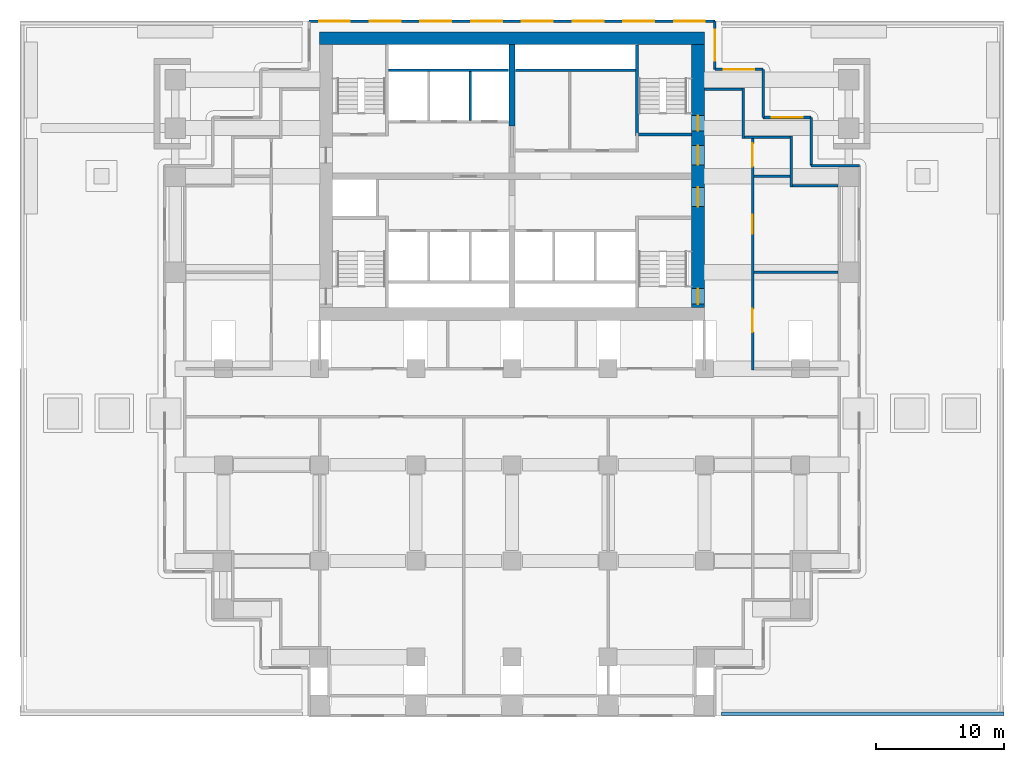
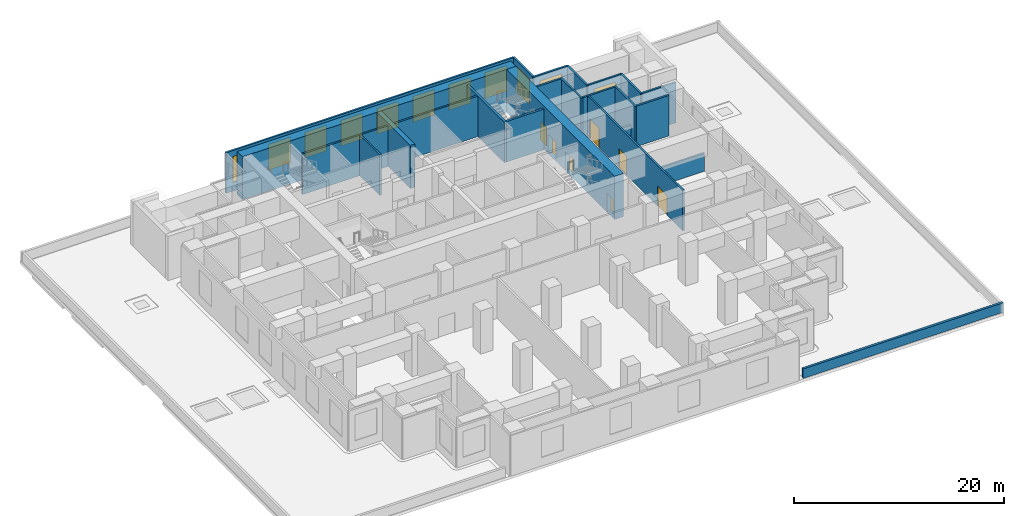
# One storey, part 5 of 9: 24 walls, 11 windows, 7 doors, 18 openings.
"""IFC4 building model written with IfcOpenShell, lengths in metres."""

from ifc_helpers import new_model, si_unit, direction, frame, frame_2d, origin, place, context, subcontext, project, spatial, rectangle, extrude, material, layer, layer_set, type_object, element, fill, save


model = new_model("IFC4")

# Units and contexts
model_context = context("Model", 3, precision=1e-05, world=origin(), true_north=direction((0.0, 1.0)))
body_context = subcontext(model_context, "Body", "Model", "MODEL_VIEW")
ifc_project = project(units=[si_unit("LENGTHUNIT", "METRE"), si_unit("AREAUNIT", "SQUARE_METRE"), si_unit("VOLUMEUNIT", "CUBIC_METRE"), si_unit("PLANEANGLEUNIT", "RADIAN"), si_unit("MASSUNIT", "GRAM", prefix="KILO")], contexts=[model_context])

# Site, building, storey
site_placement = place(None, origin())
site = spatial("IfcSite", under=ifc_project, at=site_placement, CompositionType="ELEMENT")
building_placement = place(site_placement, origin())
building = spatial("IfcBuilding", under=site, at=building_placement, Name="Pilkhan Gate Tower", CompositionType="ELEMENT")
storey_placement = place(building_placement, frame((0.0, 0.0, 30.0)))
storey = spatial("IfcBuildingStorey", under=building, at=storey_placement, Name="L04", CompositionType="ELEMENT", Elevation=30.0)

# Wall, openings, doors
ifc_material_1 = material(Name="Concrete C70/85", Category="concrete")
ifc_layer_1 = layer(ifc_material_1, 1.0)
ifc_layer_set_1 = layer_set([ifc_layer_1], Name="Core wall CW1000 C70/85")
wall_type_1 = type_object("IfcWallType", Name="Core wall CW1000 C70/85", PredefinedType="SHEAR", material=ifc_layer_set_1)
wall_1_placement = place(storey_placement, frame((89.5, 72.25, 0.0), z_axis=(0.0, 0.0, 1.0), x_axis=(0.0, 1.0, 0.0)))
wall_1 = element("IfcWall", 1, at=wall_1_placement, inside=storey, type_object=wall_type_1, Name="Core wall E L04", PredefinedType="SHEAR", context=body_context, shape_type="SweptSolid", body=[
    extrude(rectangle(XDim=20.5, YDim=1.0, at=frame_2d((10.25, 0.0))), origin(), (0.0, 0.0, 1.0), 5.0),
])
opening_1_placement = place(wall_1_placement, frame((0.27490234375, 0.0, 0.0)))
opening_1 = element("IfcOpeningElement", 2, at=opening_1_placement, cuts=wall_1, Name="Opening L04-03", PredefinedType="OPENING", context=body_context, shape_type="SweptSolid", body=[
    extrude(rectangle(XDim=1.199951171875, YDim=2.199951171875, at=frame_2d((0.60009765625, 1.10009765625))), frame((0.0, 0.510009765625, 0.0), z_axis=(0.0, -1.0, 0.0), x_axis=(1.0, 0.0, 0.0)), (0.0, 0.0, 1.0), 1.02001953125),
])
opening_2_placement = place(wall_1_placement, frame((13.77490234375, 0.0, 0.0)))
opening_2 = element("IfcOpeningElement", 3, at=opening_2_placement, cuts=wall_1, Name="Opening L04-05", PredefinedType="OPENING", context=body_context, shape_type="SweptSolid", body=[
    extrude(rectangle(XDim=1.199951171875, YDim=2.199951171875, at=frame_2d((0.60009765625, 1.10009765625))), frame((0.0, 0.510009765625, 0.0), z_axis=(0.0, -1.0, 0.0), x_axis=(1.0, 0.0, 0.0)), (0.0, 0.0, 1.0), 1.02001953125),
])
opening_3_placement = place(wall_1_placement, frame((7.875, 0.0, 0.0)))
opening_3 = element("IfcOpeningElement", 4, at=opening_3_placement, cuts=wall_1, Name="Opening L04-09", PredefinedType="OPENING", context=body_context, shape_type="SweptSolid", body=[
    extrude(rectangle(XDim=1.5, YDim=2.199951171875, at=frame_2d((0.75, 1.10009765625))), frame((0.0, 0.510009765625, 0.0), z_axis=(0.0, -1.0, 0.0), x_axis=(1.0, 0.0, 0.0)), (0.0, 0.0, 1.0), 1.02001953125),
])
opening_4_placement = place(wall_1_placement, frame((11.125, 0.0, 0.0)))
opening_4 = element("IfcOpeningElement", 5, at=opening_4_placement, cuts=wall_1, Name="Opening L04-11", PredefinedType="OPENING", context=body_context, shape_type="SweptSolid", body=[
    extrude(rectangle(XDim=1.5, YDim=2.199951171875, at=frame_2d((0.75, 1.10009765625))), frame((0.0, 0.510009765625, 0.0), z_axis=(0.0, -1.0, 0.0), x_axis=(1.0, 0.0, 0.0)), (0.0, 0.0, 1.0), 1.02001953125),
])
ifc_material_2 = material(Name="Steel framed glazed door, 60 minute fire resisting", Category="steel")
door_type_1 = type_object("IfcDoorType", Name="Lobby door D09 1500x2200", OperationType="DOUBLE_DOOR_SINGLE_SWING", PredefinedType="DOOR", material=ifc_material_2)
door_1_placement = place(opening_3_placement, origin())
door_1 = element("IfcDoor", 6, at=door_1_placement, inside=storey, type_object=door_type_1, Name="Core door", OperationType="DOUBLE_DOOR_SINGLE_SWING", OverallHeight=2.199951171875, OverallWidth=1.5, PredefinedType="DOOR", context=body_context, shape_type="SweptSolid", body=[
    extrude(rectangle(XDim=1.5, YDim=2.199951171875, at=frame_2d((0.75, 1.10009765625))), frame((0.0, 0.02490234375, 0.0), z_axis=(0.0, -1.0, 0.0), x_axis=(1.0, 0.0, 0.0)), (0.0, 0.0, 1.0), 0.050048828125),
])
fill(opening_3, door_1)
door_2_placement = place(opening_4_placement, origin())
door_2 = element("IfcDoor", 7, at=door_2_placement, inside=storey, type_object=door_type_1, Name="Core door", OperationType="DOUBLE_DOOR_SINGLE_SWING", OverallHeight=2.199951171875, OverallWidth=1.5, PredefinedType="DOOR", context=body_context, shape_type="SweptSolid", body=[
    extrude(rectangle(XDim=1.5, YDim=2.199951171875, at=frame_2d((0.75, 1.10009765625))), frame((0.0, 0.02490234375, 0.0), z_axis=(0.0, -1.0, 0.0), x_axis=(1.0, 0.0, 0.0)), (0.0, 0.0, 1.0), 0.050048828125),
])
fill(opening_4, door_2)
ifc_material_3 = material(Name="Steel door, 120 minute fire resisting, panic bar", Category="steel")
door_type_2 = type_object("IfcDoorType", Name="Stair door D11 1200x2200", OperationType="SINGLE_SWING_LEFT", PredefinedType="DOOR", material=ifc_material_3)
door_3_placement = place(opening_1_placement, origin())
door_3 = element("IfcDoor", 8, at=door_3_placement, inside=storey, type_object=door_type_2, Name="Stair ST1 door", OperationType="SINGLE_SWING_LEFT", OverallHeight=2.199951171875, OverallWidth=1.199951171875, PredefinedType="DOOR", context=body_context, shape_type="SweptSolid", body=[
    extrude(rectangle(XDim=1.199951171875, YDim=2.199951171875, at=frame_2d((0.60009765625, 1.10009765625))), frame((0.0, 0.02490234375, 0.0), z_axis=(0.0, -1.0, 0.0), x_axis=(1.0, 0.0, 0.0)), (0.0, 0.0, 1.0), 0.050048828125),
])
fill(opening_1, door_3)
door_4_placement = place(opening_2_placement, origin())
door_4 = element("IfcDoor", 9, at=door_4_placement, inside=storey, type_object=door_type_2, Name="Stair ST4 door", OperationType="SINGLE_SWING_LEFT", OverallHeight=2.199951171875, OverallWidth=1.199951171875, PredefinedType="DOOR", context=body_context, shape_type="SweptSolid", body=[
    extrude(rectangle(XDim=1.199951171875, YDim=2.199951171875, at=frame_2d((0.60009765625, 1.10009765625))), frame((0.0, 0.02490234375, 0.0), z_axis=(0.0, -1.0, 0.0), x_axis=(1.0, 0.0, 0.0)), (0.0, 0.0, 1.0), 0.050048828125),
])
fill(opening_2, door_4)

# Walls
wall_2_placement = place(storey_placement, frame((90.0, 93.25, 0.0), z_axis=(0.0, 0.0, 1.0), x_axis=(-1.0, 0.0, 0.0)))
element("IfcWall", 10, at=wall_2_placement, inside=storey, type_object=wall_type_1, Name="Core wall N L04", PredefinedType="SHEAR", context=body_context, shape_type="SweptSolid", body=[
    extrude(rectangle(XDim=30.0, YDim=1.0, at=frame_2d((15.0, 0.0))), origin(), (0.0, 0.0, 1.0), 5.0),
])
ifc_material_4 = material(Name="Dense blockwork", Category="masonry")
ifc_layer_2 = layer(ifc_material_4, 0.199951171875)
ifc_layer_set_2 = layer_set([ifc_layer_2], Name="Lobby wall LW200")
wall_type_2 = type_object("IfcWallType", Name="Lobby wall LW200", PredefinedType="PARTITIONING", material=ifc_layer_set_2)
wall_3_placement = place(storey_placement, frame((93.85009765625, 75.0, 0.0), z_axis=(0.0, 0.0, 1.0), x_axis=(1.0, 0.0, 0.0)))
element("IfcWall", 11, at=wall_3_placement, inside=storey, type_object=wall_type_2, Name="Partition L04", PredefinedType="PARTITIONING", context=body_context, shape_type="SweptSolid", body=[
    extrude(rectangle(XDim=6.56494140625, YDim=0.199951171875, at=frame_2d((3.282470703125, 0.0))), origin(), (0.0, 0.0, 1.0), 2.10009765625),
])
wall_4_placement = place(storey_placement, frame((96.864990234375, 81.764892578125, 0.0), z_axis=(0.0, 0.0, 1.0), x_axis=(1.0, 0.0, 0.0)))
element("IfcWall", 12, at=wall_4_placement, inside=storey, type_object=wall_type_2, Name="Partition L04", PredefinedType="PARTITIONING", context=body_context, shape_type="SweptSolid", body=[
    extrude(rectangle(XDim=3.550048828125, YDim=0.199951171875, at=frame_2d((1.77490234375, 0.0))), origin(), (0.0, 0.0, 1.0), 4.699951171875),
])
wall_5_placement = place(storey_placement, frame((93.85009765625, 82.5, 0.0), z_axis=(0.0, 0.0, 1.0), x_axis=(1.0, 0.0, 0.0)))
element("IfcWall", 13, at=wall_5_placement, inside=storey, type_object=wall_type_2, Name="Partition L04", PredefinedType="PARTITIONING", context=body_context, shape_type="SweptSolid", body=[
    extrude(rectangle(XDim=2.81494140625, YDim=0.199951171875, at=frame_2d((1.407470703125, 0.0))), origin(), (0.0, 0.0, 1.0), 2.10009765625),
])
wall_6_placement = place(storey_placement, frame((93.114990234375, 85.514892578125, 0.0), z_axis=(0.0, 0.0, 1.0), x_axis=(1.0, 0.0, 0.0)))
element("IfcWall", 14, at=wall_6_placement, inside=storey, type_object=wall_type_2, Name="Partition L04", PredefinedType="PARTITIONING", context=body_context, shape_type="SweptSolid", body=[
    extrude(rectangle(XDim=3.550048828125, YDim=0.199951171875, at=frame_2d((1.77490234375, 0.0))), origin(), (0.0, 0.0, 1.0), 4.699951171875),
])
wall_7_placement = place(storey_placement, frame((90.010009765625, 89.264892578125, 0.0), z_axis=(0.0, 0.0, 1.0), x_axis=(1.0, 0.0, 0.0)))
element("IfcWall", 15, at=wall_7_placement, inside=storey, type_object=wall_type_2, Name="Partition L04", PredefinedType="PARTITIONING", context=body_context, shape_type="SweptSolid", body=[
    extrude(rectangle(XDim=2.905029296875, YDim=0.199951171875, at=frame_2d((1.45263671875, 0.0))), origin(), (0.0, 0.0, 1.0), 4.699951171875),
])
wall_8_placement = place(storey_placement, frame((75.260009765625, 90.75, 0.0), z_axis=(0.0, 0.0, 1.0), x_axis=(1.0, 0.0, 0.0)))
element("IfcWall", 16, at=wall_8_placement, inside=storey, type_object=wall_type_2, Name="Partition L04", PredefinedType="PARTITIONING", context=body_context, shape_type="SweptSolid", body=[
    extrude(rectangle(XDim=9.364990234375, YDim=0.199951171875, at=frame_2d((4.6826171875, 0.0))), origin(), (0.0, 0.0, 1.0), 4.699951171875),
])
wall_9_placement = place(storey_placement, frame((93.014892578125, 85.4150390625, 0.0), z_axis=(0.0, 0.0, 1.0), x_axis=(0.0, 1.0, 0.0)))
element("IfcWall", 17, at=wall_9_placement, inside=storey, type_object=wall_type_2, Name="Partition L04", PredefinedType="PARTITIONING", context=body_context, shape_type="SweptSolid", body=[
    extrude(rectangle(XDim=3.949951171875, YDim=0.199951171875, at=frame_2d((1.97509765625, 0.0))), origin(), (0.0, 0.0, 1.0), 4.699951171875),
])

# Wall, openings, doors
wall_10_placement = place(storey_placement, frame((93.75, 67.39990234375, 0.0), z_axis=(0.0, 0.0, 1.0), x_axis=(0.0, 1.0, 0.0)))
wall_10 = element("IfcWall", 18, at=wall_10_placement, inside=storey, type_object=wall_type_2, Name="Partition L04", PredefinedType="PARTITIONING", context=body_context, shape_type="SweptSolid", body=[
    extrude(rectangle(XDim=18.01513671875, YDim=0.199951171875, at=frame_2d((9.007568359375, 0.0))), origin(), (0.0, 0.0, 1.0), 4.699951171875),
])
opening_5_placement = place(wall_10_placement, frame((10.60009765625, 0.0, 0.0)))
opening_5 = element("IfcOpeningElement", 19, at=opening_5_placement, cuts=wall_10, Name="Opening L04-08", PredefinedType="OPENING", context=body_context, shape_type="SweptSolid", body=[
    extrude(rectangle(XDim=1.5, YDim=2.199951171875, at=frame_2d((0.75, 1.10009765625))), frame((0.0, 0.10986328125, 0.0), z_axis=(0.0, -1.0, 0.0), x_axis=(1.0, 0.0, 0.0)), (0.0, 0.0, 1.0), 0.219970703125),
])
opening_6_placement = place(wall_10_placement, frame((2.949951171875, 0.0, 0.0)))
opening_6 = element("IfcOpeningElement", 20, at=opening_6_placement, cuts=wall_10, Name="Opening L04-23", PredefinedType="OPENING", context=body_context, shape_type="SweptSolid", body=[
    extrude(rectangle(XDim=1.800048828125, YDim=2.300048828125, at=frame_2d((0.89990234375, 1.14990234375))), frame((0.0, 0.10986328125, 0.0), z_axis=(0.0, -1.0, 0.0), x_axis=(1.0, 0.0, 0.0)), (0.0, 0.0, 1.0), 0.219970703125),
])
opening_7_placement = place(wall_10_placement, frame((15.85009765625, 0.0, 0.0)))
opening_7 = element("IfcOpeningElement", 21, at=opening_7_placement, cuts=wall_10, Name="Opening L04-24", PredefinedType="OPENING", context=body_context, shape_type="SweptSolid", body=[
    extrude(rectangle(XDim=1.800048828125, YDim=2.300048828125, at=frame_2d((0.89990234375, 1.14990234375))), frame((0.0, 0.10986328125, 0.0), z_axis=(0.0, -1.0, 0.0), x_axis=(1.0, 0.0, 0.0)), (0.0, 0.0, 1.0), 0.219970703125),
])
door_5_placement = place(opening_5_placement, origin())
door_5 = element("IfcDoor", 22, at=door_5_placement, inside=storey, type_object=door_type_1, Name="Refuge door", OperationType="DOUBLE_DOOR_SINGLE_SWING", OverallHeight=2.199951171875, OverallWidth=1.5, PredefinedType="DOOR", context=body_context, shape_type="SweptSolid", body=[
    extrude(rectangle(XDim=1.5, YDim=2.199951171875, at=frame_2d((0.75, 1.10009765625))), frame((0.0, 0.02490234375, 0.0), z_axis=(0.0, -1.0, 0.0), x_axis=(1.0, 0.0, 0.0)), (0.0, 0.0, 1.0), 0.050048828125),
])
fill(opening_5, door_5)
ifc_material_5 = material(Name="Steel door, 120 minute fire resisting", Category="steel")
door_type_3 = type_object("IfcDoorType", Name="Plant room door D08A 1800x2300", OperationType="DOUBLE_DOOR_SINGLE_SWING", PredefinedType="DOOR", material=ifc_material_5)
door_6_placement = place(opening_6_placement, origin())
door_6 = element("IfcDoor", 23, at=door_6_placement, inside=storey, type_object=door_type_3, Name="Plant room door", OperationType="DOUBLE_DOOR_SINGLE_SWING", OverallHeight=2.300048828125, OverallWidth=1.800048828125, PredefinedType="DOOR", context=body_context, shape_type="SweptSolid", body=[
    extrude(rectangle(XDim=1.800048828125, YDim=2.300048828125, at=frame_2d((0.89990234375, 1.14990234375))), frame((0.0, 0.02490234375, 0.0), z_axis=(0.0, -1.0, 0.0), x_axis=(1.0, 0.0, 0.0)), (0.0, 0.0, 1.0), 0.050048828125),
])
fill(opening_6, door_6)
door_7_placement = place(opening_7_placement, origin())
door_7 = element("IfcDoor", 24, at=door_7_placement, inside=storey, type_object=door_type_3, Name="Plant room door", OperationType="DOUBLE_DOOR_SINGLE_SWING", OverallHeight=2.300048828125, OverallWidth=1.800048828125, PredefinedType="DOOR", context=body_context, shape_type="SweptSolid", body=[
    extrude(rectangle(XDim=1.800048828125, YDim=2.300048828125, at=frame_2d((0.89990234375, 1.14990234375))), frame((0.0, 0.02490234375, 0.0), z_axis=(0.0, -1.0, 0.0), x_axis=(1.0, 0.0, 0.0)), (0.0, 0.0, 1.0), 0.050048828125),
])
fill(opening_7, door_7)

# Walls
wall_11_placement = place(storey_placement, frame((96.764892578125, 81.6650390625, 0.0), z_axis=(0.0, 0.0, 1.0), x_axis=(0.0, 1.0, 0.0)))
element("IfcWall", 25, at=wall_11_placement, inside=storey, type_object=wall_type_2, Name="Partition L04", PredefinedType="PARTITIONING", context=body_context, shape_type="SweptSolid", body=[
    extrude(rectangle(XDim=3.949951171875, YDim=0.199951171875, at=frame_2d((1.97509765625, 0.0))), origin(), (0.0, 0.0, 1.0), 4.699951171875),
])
ifc_material_6 = material(Name="Concrete C40/50", Category="concrete")
ifc_layer_3 = layer(ifc_material_6, 0.25)
ifc_layer_set_3 = layer_set([ifc_layer_3], Name="Parapet wall PA250")
wall_type_3 = type_object("IfcWallType", Name="Parapet wall PA250", PredefinedType="USERDEFINED", material=ifc_layer_set_3)
wall_12_placement = place(storey_placement, frame((113.35009765625, 40.60009765625, 0.0), z_axis=(0.0, 0.0, 1.0), x_axis=(-1.0, 0.0, 0.0)))
element("IfcWall", 26, at=wall_12_placement, inside=storey, type_object=wall_type_3, Name="Podium roof parapet", ObjectType="PARAPET WALL", PredefinedType="USERDEFINED", context=body_context, shape_type="SweptSolid", body=[
    extrude(rectangle(XDim=22.009033203125, YDim=0.25, at=frame_2d((11.00439453125, 0.0))), origin(), (0.0, 0.0, 1.0), 1.10009765625),
])
ifc_material_7 = material(Name="Pale anodised aluminium cladding", Category="aluminium")
ifc_layer_4 = layer(ifc_material_7, 0.199951171875)
ifc_layer_set_4 = layer_set([ifc_layer_4], Name="Plant screen wall PS200")
wall_type_4 = type_object("IfcWallType", Name="Plant screen wall PS200", PredefinedType="SOLIDWALL", material=ifc_layer_set_4)
for number, where, z_axis, x_axis, name in (
    (27, (98.320068359375, 83.320068359375, 0.0), (0.0, 0.0, 1.0), (1.0, 0.0, 0.0), "Plant screen wall L04 N"),
    (28, (98.320068359375, 83.320068359375, 0.0), (0.0, 0.0, 1.0), (0.0, 1.0, 0.0), "Plant screen wall L04 E"),
):
    element("IfcWall", number, at=place(storey_placement, frame(where, z_axis=z_axis, x_axis=x_axis)), inside=storey, type_object=wall_type_4, Name=name, PredefinedType="SOLIDWALL", context=body_context, shape_type="SweptSolid", body=[
        extrude(rectangle(XDim=3.75, YDim=0.199951171875, at=frame_2d((1.875, 0.0))), origin(), (0.0, 0.0, 1.0), 4.699951171875),
    ])

# Wall, opening, window
wall_13_placement = place(storey_placement, frame((94.570068359375, 87.070068359375, 0.0), z_axis=(0.0, 0.0, 1.0), x_axis=(1.0, 0.0, 0.0)))
wall_13 = element("IfcWall", 29, at=wall_13_placement, inside=storey, type_object=wall_type_4, Name="Plant screen wall L04 N", PredefinedType="SOLIDWALL", context=body_context, shape_type="SweptSolid", body=[
    extrude(rectangle(XDim=3.75, YDim=0.199951171875, at=frame_2d((1.875, 0.0))), origin(), (0.0, 0.0, 1.0), 4.699951171875),
])
opening_8_placement = place(wall_13_placement, frame((0.675048828125, 0.0, 1.0)))
opening_8 = element("IfcOpeningElement", 30, at=opening_8_placement, cuts=wall_13, Name="Opening WL1", PredefinedType="OPENING", context=body_context, shape_type="SweptSolid", body=[
    extrude(rectangle(XDim=2.39990234375, YDim=3.0, at=frame_2d((1.199951171875, 1.5))), frame((0.0, 0.10986328125, 0.0), z_axis=(0.0, -1.0, 0.0), x_axis=(1.0, 0.0, 0.0)), (0.0, 0.0, 1.0), 0.219970703125),
])
ifc_material_8 = material(Name="Pale anodised aluminium storm louvre, bird mesh", Category="aluminium")
window_type = type_object("IfcWindowType", Name="Plant louvre WL1 2400x3000", PartitioningType="SINGLE_PANEL", PredefinedType="USERDEFINED", material=ifc_material_8)
window_1_placement = place(opening_8_placement, origin())
window_1 = element("IfcWindow", 31, at=window_1_placement, inside=storey, type_object=window_type, Name="Louvre L04", ObjectType="LOUVRE", OverallHeight=3.0, OverallWidth=2.39990234375, PartitioningType="SINGLE_PANEL", PredefinedType="USERDEFINED", context=body_context, shape_type="SweptSolid", body=[
    extrude(rectangle(XDim=2.39990234375, YDim=3.0, at=frame_2d((1.199951171875, 1.5))), frame((0.0, 0.030029296875, 0.0), z_axis=(0.0, -1.0, 0.0), x_axis=(1.0, 0.0, 0.0)), (0.0, 0.0, 1.0), 0.06005859375),
])
fill(opening_8, window_1)

# Wall
wall_14_placement = place(storey_placement, frame((94.570068359375, 87.070068359375, 0.0), z_axis=(0.0, 0.0, 1.0), x_axis=(0.0, 1.0, 0.0)))
element("IfcWall", 32, at=wall_14_placement, inside=storey, type_object=wall_type_4, Name="Plant screen wall L04 E", PredefinedType="SOLIDWALL", context=body_context, shape_type="SweptSolid", body=[
    extrude(rectangle(XDim=3.75, YDim=0.199951171875, at=frame_2d((1.875, 0.0))), origin(), (0.0, 0.0, 1.0), 4.699951171875),
])

# Wall, opening, window
wall_15_placement = place(storey_placement, frame((90.820068359375, 90.820068359375, 0.0), z_axis=(0.0, 0.0, 1.0), x_axis=(1.0, 0.0, 0.0)))
wall_15 = element("IfcWall", 33, at=wall_15_placement, inside=storey, type_object=wall_type_4, Name="Plant screen wall L04 N", PredefinedType="SOLIDWALL", context=body_context, shape_type="SweptSolid", body=[
    extrude(rectangle(XDim=3.75, YDim=0.199951171875, at=frame_2d((1.875, 0.0))), origin(), (0.0, 0.0, 1.0), 4.699951171875),
])
opening_9_placement = place(wall_15_placement, frame((0.675048828125, 0.0, 1.0)))
opening_9 = element("IfcOpeningElement", 34, at=opening_9_placement, cuts=wall_15, Name="Opening WL1", PredefinedType="OPENING", context=body_context, shape_type="SweptSolid", body=[
    extrude(rectangle(XDim=2.39990234375, YDim=3.0, at=frame_2d((1.199951171875, 1.5))), frame((0.0, 0.10986328125, 0.0), z_axis=(0.0, -1.0, 0.0), x_axis=(1.0, 0.0, 0.0)), (0.0, 0.0, 1.0), 0.219970703125),
])
window_2_placement = place(opening_9_placement, origin())
window_2 = element("IfcWindow", 35, at=window_2_placement, inside=storey, type_object=window_type, Name="Louvre L04", ObjectType="LOUVRE", OverallHeight=3.0, OverallWidth=2.39990234375, PartitioningType="SINGLE_PANEL", PredefinedType="USERDEFINED", context=body_context, shape_type="SweptSolid", body=[
    extrude(rectangle(XDim=2.39990234375, YDim=3.0, at=frame_2d((1.199951171875, 1.5))), frame((0.0, 0.030029296875, 0.0), z_axis=(0.0, -1.0, 0.0), x_axis=(1.0, 0.0, 0.0)), (0.0, 0.0, 1.0), 0.06005859375),
])
fill(opening_9, window_2)

wall_16_placement = place(storey_placement, frame((90.820068359375, 90.820068359375, 0.0), z_axis=(0.0, 0.0, 1.0), x_axis=(0.0, 1.0, 0.0)))
wall_16 = element("IfcWall", 36, at=wall_16_placement, inside=storey, type_object=wall_type_4, Name="Plant screen wall L04 E", PredefinedType="SOLIDWALL", context=body_context, shape_type="SweptSolid", body=[
    extrude(rectangle(XDim=3.75, YDim=0.199951171875, at=frame_2d((1.875, 0.0))), origin(), (0.0, 0.0, 1.0), 4.699951171875),
])
opening_10_placement = place(wall_16_placement, frame((0.675048828125, 0.0, 1.0)))
opening_10 = element("IfcOpeningElement", 37, at=opening_10_placement, cuts=wall_16, Name="Opening WL1", PredefinedType="OPENING", context=body_context, shape_type="SweptSolid", body=[
    extrude(rectangle(XDim=2.39990234375, YDim=3.0, at=frame_2d((1.199951171875, 1.5))), frame((0.0, 0.10986328125, 0.0), z_axis=(0.0, -1.0, 0.0), x_axis=(1.0, 0.0, 0.0)), (0.0, 0.0, 1.0), 0.219970703125),
])
window_3_placement = place(opening_10_placement, origin())
window_3 = element("IfcWindow", 38, at=window_3_placement, inside=storey, type_object=window_type, Name="Louvre L04", ObjectType="LOUVRE", OverallHeight=3.0, OverallWidth=2.39990234375, PartitioningType="SINGLE_PANEL", PredefinedType="USERDEFINED", context=body_context, shape_type="SweptSolid", body=[
    extrude(rectangle(XDim=2.39990234375, YDim=3.0, at=frame_2d((1.199951171875, 1.5))), frame((0.0, 0.030029296875, 0.0), z_axis=(0.0, -1.0, 0.0), x_axis=(1.0, 0.0, 0.0)), (0.0, 0.0, 1.0), 0.06005859375),
])
fill(opening_10, window_3)

# Wall, openings, windows
wall_17_placement = place(storey_placement, frame((59.179931640625, 94.570068359375, 0.0), z_axis=(0.0, 0.0, 1.0), x_axis=(1.0, 0.0, 0.0)))
wall_17 = element("IfcWall", 39, at=wall_17_placement, inside=storey, type_object=wall_type_4, Name="Plant screen wall L04 N", PredefinedType="SOLIDWALL", context=body_context, shape_type="SweptSolid", body=[
    extrude(rectangle(XDim=31.64013671875, YDim=0.199951171875, at=frame_2d((15.820068359375, 0.0))), origin(), (0.0, 0.0, 1.0), 4.699951171875),
])
opening_11_placement = place(wall_17_placement, frame((0.777587890625, 0.0, 1.0)))
opening_11 = element("IfcOpeningElement", 40, at=opening_11_placement, cuts=wall_17, Name="Opening WL1", PredefinedType="OPENING", context=body_context, shape_type="SweptSolid", body=[
    extrude(rectangle(XDim=2.39990234375, YDim=3.0, at=frame_2d((1.199951171875, 1.5))), frame((0.0, 0.10986328125, 0.0), z_axis=(0.0, -1.0, 0.0), x_axis=(1.0, 0.0, 0.0)), (0.0, 0.0, 1.0), 0.219970703125),
])
opening_12_placement = place(wall_17_placement, frame((4.732421875, 0.0, 1.0)))
opening_12 = element("IfcOpeningElement", 41, at=opening_12_placement, cuts=wall_17, Name="Opening WL1", PredefinedType="OPENING", context=body_context, shape_type="SweptSolid", body=[
    extrude(rectangle(XDim=2.39990234375, YDim=3.0, at=frame_2d((1.199951171875, 1.5))), frame((0.0, 0.10986328125, 0.0), z_axis=(0.0, -1.0, 0.0), x_axis=(1.0, 0.0, 0.0)), (0.0, 0.0, 1.0), 0.219970703125),
])
opening_13_placement = place(wall_17_placement, frame((8.6875, 0.0, 1.0)))
opening_13 = element("IfcOpeningElement", 42, at=opening_13_placement, cuts=wall_17, Name="Opening WL1", PredefinedType="OPENING", context=body_context, shape_type="SweptSolid", body=[
    extrude(rectangle(XDim=2.39990234375, YDim=3.0, at=frame_2d((1.199951171875, 1.5))), frame((0.0, 0.10986328125, 0.0), z_axis=(0.0, -1.0, 0.0), x_axis=(1.0, 0.0, 0.0)), (0.0, 0.0, 1.0), 0.219970703125),
])
opening_14_placement = place(wall_17_placement, frame((12.642578125, 0.0, 1.0)))
opening_14 = element("IfcOpeningElement", 43, at=opening_14_placement, cuts=wall_17, Name="Opening WL1", PredefinedType="OPENING", context=body_context, shape_type="SweptSolid", body=[
    extrude(rectangle(XDim=2.39990234375, YDim=3.0, at=frame_2d((1.199951171875, 1.5))), frame((0.0, 0.10986328125, 0.0), z_axis=(0.0, -1.0, 0.0), x_axis=(1.0, 0.0, 0.0)), (0.0, 0.0, 1.0), 0.219970703125),
])
opening_15_placement = place(wall_17_placement, frame((16.597412109375, 0.0, 1.0)))
opening_15 = element("IfcOpeningElement", 44, at=opening_15_placement, cuts=wall_17, Name="Opening WL1", PredefinedType="OPENING", context=body_context, shape_type="SweptSolid", body=[
    extrude(rectangle(XDim=2.39990234375, YDim=3.0, at=frame_2d((1.199951171875, 1.5))), frame((0.0, 0.10986328125, 0.0), z_axis=(0.0, -1.0, 0.0), x_axis=(1.0, 0.0, 0.0)), (0.0, 0.0, 1.0), 0.219970703125),
])
opening_16_placement = place(wall_17_placement, frame((20.552490234375, 0.0, 1.0)))
opening_16 = element("IfcOpeningElement", 45, at=opening_16_placement, cuts=wall_17, Name="Opening WL1", PredefinedType="OPENING", context=body_context, shape_type="SweptSolid", body=[
    extrude(rectangle(XDim=2.39990234375, YDim=3.0, at=frame_2d((1.199951171875, 1.5))), frame((0.0, 0.10986328125, 0.0), z_axis=(0.0, -1.0, 0.0), x_axis=(1.0, 0.0, 0.0)), (0.0, 0.0, 1.0), 0.219970703125),
])
opening_17_placement = place(wall_17_placement, frame((24.507568359375, 0.0, 1.0)))
opening_17 = element("IfcOpeningElement", 46, at=opening_17_placement, cuts=wall_17, Name="Opening WL1", PredefinedType="OPENING", context=body_context, shape_type="SweptSolid", body=[
    extrude(rectangle(XDim=2.39990234375, YDim=3.0, at=frame_2d((1.199951171875, 1.5))), frame((0.0, 0.10986328125, 0.0), z_axis=(0.0, -1.0, 0.0), x_axis=(1.0, 0.0, 0.0)), (0.0, 0.0, 1.0), 0.219970703125),
])
opening_18_placement = place(wall_17_placement, frame((28.46240234375, 0.0, 1.0)))
opening_18 = element("IfcOpeningElement", 47, at=opening_18_placement, cuts=wall_17, Name="Opening WL1", PredefinedType="OPENING", context=body_context, shape_type="SweptSolid", body=[
    extrude(rectangle(XDim=2.39990234375, YDim=3.0, at=frame_2d((1.199951171875, 1.5))), frame((0.0, 0.10986328125, 0.0), z_axis=(0.0, -1.0, 0.0), x_axis=(1.0, 0.0, 0.0)), (0.0, 0.0, 1.0), 0.219970703125),
])
window_4_placement = place(opening_11_placement, origin())
window_4 = element("IfcWindow", 48, at=window_4_placement, inside=storey, type_object=window_type, Name="Louvre L04", ObjectType="LOUVRE", OverallHeight=3.0, OverallWidth=2.39990234375, PartitioningType="SINGLE_PANEL", PredefinedType="USERDEFINED", context=body_context, shape_type="SweptSolid", body=[
    extrude(rectangle(XDim=2.39990234375, YDim=3.0, at=frame_2d((1.199951171875, 1.5))), frame((0.0, 0.030029296875, 0.0), z_axis=(0.0, -1.0, 0.0), x_axis=(1.0, 0.0, 0.0)), (0.0, 0.0, 1.0), 0.06005859375),
])
fill(opening_11, window_4)
window_5_placement = place(opening_12_placement, origin())
window_5 = element("IfcWindow", 49, at=window_5_placement, inside=storey, type_object=window_type, Name="Louvre L04", ObjectType="LOUVRE", OverallHeight=3.0, OverallWidth=2.39990234375, PartitioningType="SINGLE_PANEL", PredefinedType="USERDEFINED", context=body_context, shape_type="SweptSolid", body=[
    extrude(rectangle(XDim=2.39990234375, YDim=3.0, at=frame_2d((1.199951171875, 1.5))), frame((0.0, 0.030029296875, 0.0), z_axis=(0.0, -1.0, 0.0), x_axis=(1.0, 0.0, 0.0)), (0.0, 0.0, 1.0), 0.06005859375),
])
fill(opening_12, window_5)
window_6_placement = place(opening_13_placement, origin())
window_6 = element("IfcWindow", 50, at=window_6_placement, inside=storey, type_object=window_type, Name="Louvre L04", ObjectType="LOUVRE", OverallHeight=3.0, OverallWidth=2.39990234375, PartitioningType="SINGLE_PANEL", PredefinedType="USERDEFINED", context=body_context, shape_type="SweptSolid", body=[
    extrude(rectangle(XDim=2.39990234375, YDim=3.0, at=frame_2d((1.199951171875, 1.5))), frame((0.0, 0.030029296875, 0.0), z_axis=(0.0, -1.0, 0.0), x_axis=(1.0, 0.0, 0.0)), (0.0, 0.0, 1.0), 0.06005859375),
])
fill(opening_13, window_6)
window_7_placement = place(opening_14_placement, origin())
window_7 = element("IfcWindow", 51, at=window_7_placement, inside=storey, type_object=window_type, Name="Louvre L04", ObjectType="LOUVRE", OverallHeight=3.0, OverallWidth=2.39990234375, PartitioningType="SINGLE_PANEL", PredefinedType="USERDEFINED", context=body_context, shape_type="SweptSolid", body=[
    extrude(rectangle(XDim=2.39990234375, YDim=3.0, at=frame_2d((1.199951171875, 1.5))), frame((0.0, 0.030029296875, 0.0), z_axis=(0.0, -1.0, 0.0), x_axis=(1.0, 0.0, 0.0)), (0.0, 0.0, 1.0), 0.06005859375),
])
fill(opening_14, window_7)
window_8_placement = place(opening_15_placement, origin())
window_8 = element("IfcWindow", 52, at=window_8_placement, inside=storey, type_object=window_type, Name="Louvre L04", ObjectType="LOUVRE", OverallHeight=3.0, OverallWidth=2.39990234375, PartitioningType="SINGLE_PANEL", PredefinedType="USERDEFINED", context=body_context, shape_type="SweptSolid", body=[
    extrude(rectangle(XDim=2.39990234375, YDim=3.0, at=frame_2d((1.199951171875, 1.5))), frame((0.0, 0.030029296875, 0.0), z_axis=(0.0, -1.0, 0.0), x_axis=(1.0, 0.0, 0.0)), (0.0, 0.0, 1.0), 0.06005859375),
])
fill(opening_15, window_8)
window_9_placement = place(opening_16_placement, origin())
window_9 = element("IfcWindow", 53, at=window_9_placement, inside=storey, type_object=window_type, Name="Louvre L04", ObjectType="LOUVRE", OverallHeight=3.0, OverallWidth=2.39990234375, PartitioningType="SINGLE_PANEL", PredefinedType="USERDEFINED", context=body_context, shape_type="SweptSolid", body=[
    extrude(rectangle(XDim=2.39990234375, YDim=3.0, at=frame_2d((1.199951171875, 1.5))), frame((0.0, 0.030029296875, 0.0), z_axis=(0.0, -1.0, 0.0), x_axis=(1.0, 0.0, 0.0)), (0.0, 0.0, 1.0), 0.06005859375),
])
fill(opening_16, window_9)
window_10_placement = place(opening_17_placement, origin())
window_10 = element("IfcWindow", 54, at=window_10_placement, inside=storey, type_object=window_type, Name="Louvre L04", ObjectType="LOUVRE", OverallHeight=3.0, OverallWidth=2.39990234375, PartitioningType="SINGLE_PANEL", PredefinedType="USERDEFINED", context=body_context, shape_type="SweptSolid", body=[
    extrude(rectangle(XDim=2.39990234375, YDim=3.0, at=frame_2d((1.199951171875, 1.5))), frame((0.0, 0.030029296875, 0.0), z_axis=(0.0, -1.0, 0.0), x_axis=(1.0, 0.0, 0.0)), (0.0, 0.0, 1.0), 0.06005859375),
])
fill(opening_17, window_10)
window_11_placement = place(opening_18_placement, origin())
window_11 = element("IfcWindow", 55, at=window_11_placement, inside=storey, type_object=window_type, Name="Louvre L04", ObjectType="LOUVRE", OverallHeight=3.0, OverallWidth=2.39990234375, PartitioningType="SINGLE_PANEL", PredefinedType="USERDEFINED", context=body_context, shape_type="SweptSolid", body=[
    extrude(rectangle(XDim=2.39990234375, YDim=3.0, at=frame_2d((1.199951171875, 1.5))), frame((0.0, 0.030029296875, 0.0), z_axis=(0.0, -1.0, 0.0), x_axis=(1.0, 0.0, 0.0)), (0.0, 0.0, 1.0), 0.06005859375),
])
fill(opening_18, window_11)

# Walls
ifc_material_9 = material(Name="Reinforced blockwork shaft wall, 120 minute fire resisting", Category="masonry")
ifc_layer_5 = layer(ifc_material_9, 0.199951171875)
ifc_layer_set_5 = layer_set([ifc_layer_5], Name="Shaft wall SW200")
wall_type_5 = type_object("IfcWallType", Name="Shaft wall SW200", PredefinedType="PARTITIONING", material=ifc_layer_set_5)
wall_18_placement = place(storey_placement, frame((65.375, 90.75, 0.0), z_axis=(0.0, 0.0, 1.0), x_axis=(1.0, 0.0, 0.0)))
element("IfcWall", 56, at=wall_18_placement, inside=storey, type_object=wall_type_5, Name="Partition L04", PredefinedType="PARTITIONING", context=body_context, shape_type="SweptSolid", body=[
    extrude(rectangle(XDim=9.364990234375, YDim=0.199951171875, at=frame_2d((4.6826171875, 0.0))), origin(), (0.0, 0.0, 1.0), 4.699951171875),
])
wall_19_placement = place(storey_placement, frame((71.75, 86.85009765625, 0.0), z_axis=(0.0, 0.0, 1.0), x_axis=(0.0, 1.0, 0.0)))
element("IfcWall", 57, at=wall_19_placement, inside=storey, type_object=wall_type_5, Name="Partition L04", PredefinedType="PARTITIONING", context=body_context, shape_type="SweptSolid", body=[
    extrude(rectangle(XDim=3.7998046875, YDim=0.199951171875, at=frame_2d((1.89990234375, 0.0))), origin(), (0.0, 0.0, 1.0), 4.699951171875),
])
ifc_layer_6 = layer(ifc_material_1, 0.5)
ifc_layer_set_6 = layer_set([ifc_layer_6], Name="Spine wall SW500 C70/85")
wall_type_6 = type_object("IfcWallType", Name="Spine wall SW500 C70/85", PredefinedType="SHEAR", material=ifc_layer_set_6)
wall_20_placement = place(storey_placement, frame((75.0, 86.39990234375, 0.0), z_axis=(0.0, 0.0, 1.0), x_axis=(0.0, 1.0, 0.0)))
element("IfcWall", 58, at=wall_20_placement, inside=storey, type_object=wall_type_6, Name="Spine wall SP-NS-N2 L04", PredefinedType="SHEAR", context=body_context, shape_type="SweptSolid", body=[
    extrude(rectangle(XDim=6.35009765625, YDim=0.5, at=frame_2d((3.175048828125, 0.0))), origin(), (0.0, 0.0, 1.0), 5.0),
])
ifc_material_10 = material(Name="Reinforced blockwork, 120 minute fire resisting", Category="masonry")
ifc_layer_7 = layer(ifc_material_10, 0.25)
ifc_layer_set_7 = layer_set([ifc_layer_7], Name="Stair enclosure wall SE250")
wall_type_7 = type_object("IfcWallType", Name="Stair enclosure wall SE250", PredefinedType="PARTITIONING", material=ifc_layer_set_7)
wall_21_placement = place(storey_placement, frame((84.875, 85.75, 0.0), z_axis=(0.0, 0.0, 1.0), x_axis=(1.0, 0.0, 0.0)))
element("IfcWall", 59, at=wall_21_placement, inside=storey, type_object=wall_type_7, Name="Partition L04", PredefinedType="PARTITIONING", context=body_context, shape_type="SweptSolid", body=[
    extrude(rectangle(XDim=4.114990234375, YDim=0.25, at=frame_2d((2.0576171875, 0.0))), origin(), (0.0, 0.0, 1.0), 4.699951171875),
])
wall_22_placement = place(storey_placement, frame((84.75, 85.625, 0.0), z_axis=(0.0, 0.0, 1.0), x_axis=(0.0, 1.0, 0.0)))
element("IfcWall", 60, at=wall_22_placement, inside=storey, type_object=wall_type_7, Name="Partition L04", PredefinedType="PARTITIONING", context=body_context, shape_type="SweptSolid", body=[
    extrude(rectangle(XDim=7.114990234375, YDim=0.25, at=frame_2d((3.5576171875, 0.0))), origin(), (0.0, 0.0, 1.0), 4.699951171875),
])

save(model, "model.ifc")
